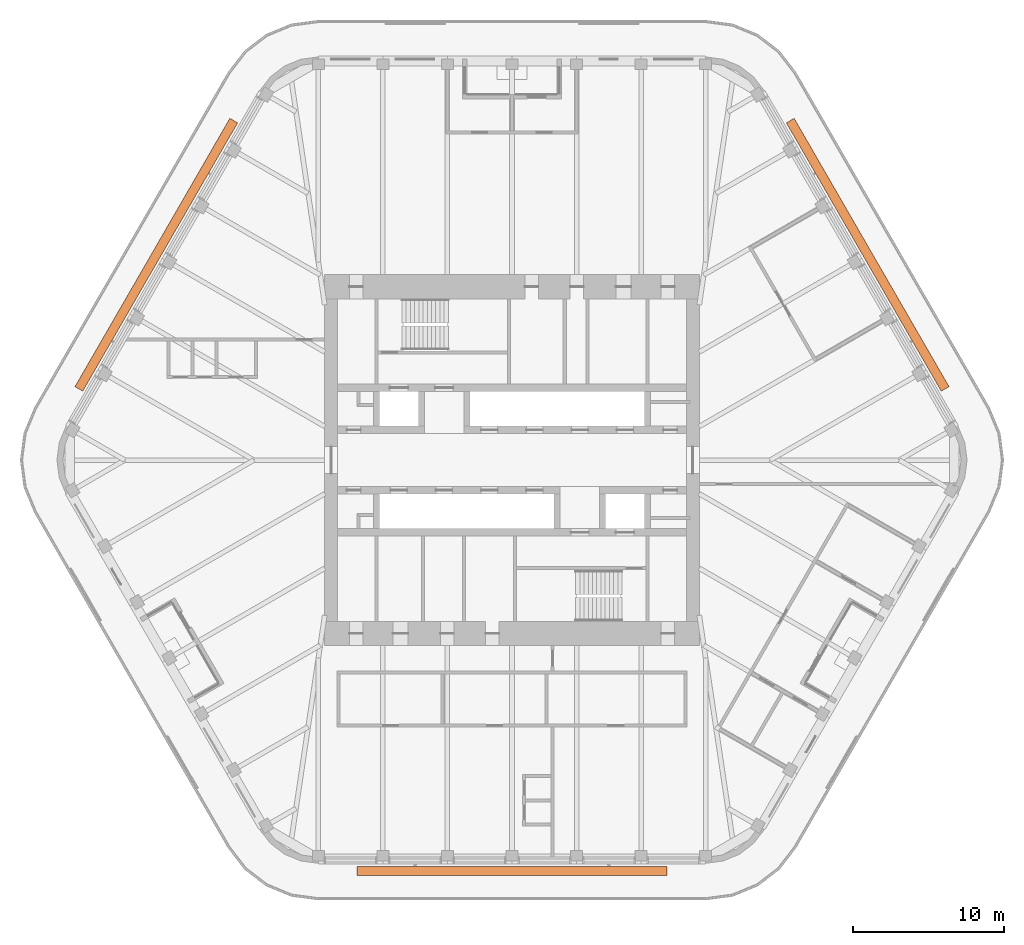
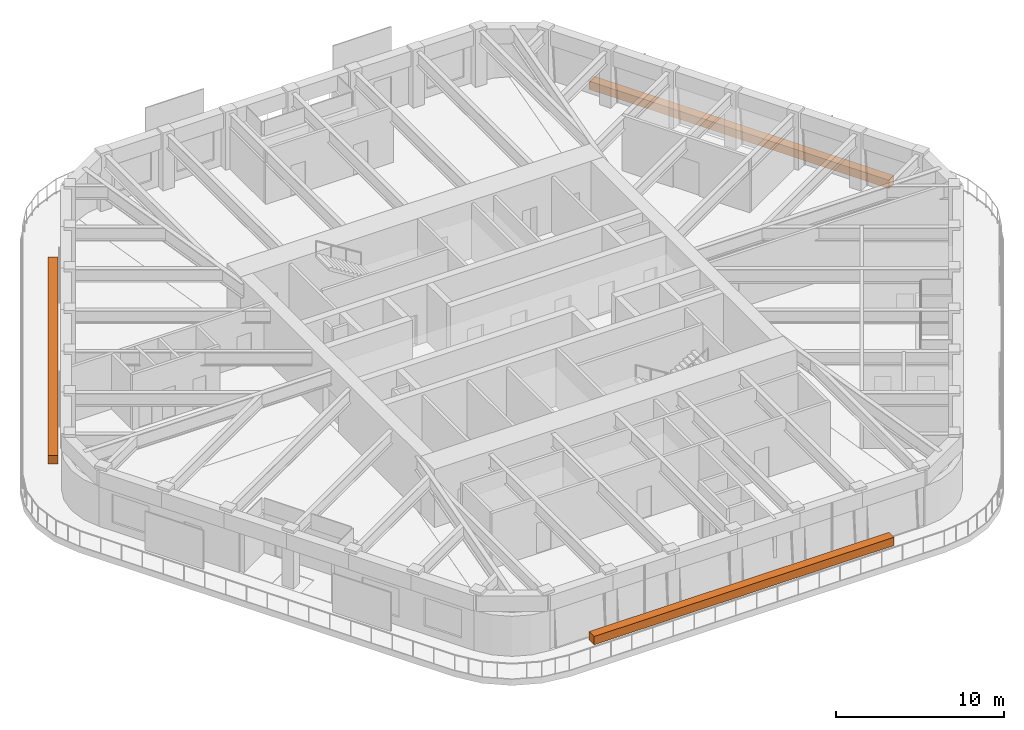
# One storey, part 20 of 20: 3 proxies.
"""IFC4 building model written with IfcOpenShell, lengths in metres."""

from ifc_helpers import new_model, si_unit, direction, frame, origin, origin_2d, place, context, subcontext, project, spatial, rectangle, extrude, material, element, save


model = new_model("IFC4")

# Units and contexts
model_context = context("Model", 3, precision=1e-05, world=origin(), true_north=direction((0.0, 1.0)))
body_context = subcontext(model_context, "Body", "Model", "MODEL_VIEW")
ifc_project = project(units=[si_unit("LENGTHUNIT", "METRE"), si_unit("AREAUNIT", "SQUARE_METRE"), si_unit("VOLUMEUNIT", "CUBIC_METRE"), si_unit("PLANEANGLEUNIT", "RADIAN"), si_unit("MASSUNIT", "GRAM", prefix="KILO")], contexts=[model_context])

# Site, building, storey
site_placement = place(None, origin())
site = spatial("IfcSite", under=ifc_project, at=site_placement, CompositionType="ELEMENT")
building_placement = place(site_placement, origin())
building = spatial("IfcBuilding", under=site, at=building_placement, Name="Tarfa Lantern Tower", CompositionType="ELEMENT")
storey_placement = place(building_placement, frame((0.0, 0.0, 378.699951171875)))
storey = spatial("IfcBuildingStorey", under=building, at=storey_placement, Name="L86", CompositionType="ELEMENT", Elevation=378.699951171875)

# Proxies
ifc_material = material(Name="Planting bed")
for number, where, z_axis, x_axis, name in (
    (1, (23.59912109375, 13.625, 0.0), (0.0, 0.0, 1.0), (-0.5, 0.866025403784, 0.0), "Balcony planter"),
    (2, (-23.59912109375, 13.625, 0.0), (0.0, 0.0, 1.0), (-0.5, -0.866025403784, 0.0), "Balcony planter"),
    (3, (0.0, -27.25, 0.0), (0.0, 0.0, 1.0), (1.0, 0.0, 0.0), "Balcony planter"),
):
    element("IfcBuildingElementProxy", number, at=place(storey_placement, frame(where, z_axis=z_axis, x_axis=x_axis)), inside=storey, material=ifc_material, Name=name, ObjectType="PLANTER", PredefinedType="USERDEFINED", context=body_context, shape_type="SweptSolid", body=[
        extrude(rectangle(XDim=20.5537109375, YDim=0.60009765625, at=origin_2d()), origin(), (0.0, 0.0, 1.0), 0.60009765625),
    ])

save(model, "model.ifc")
